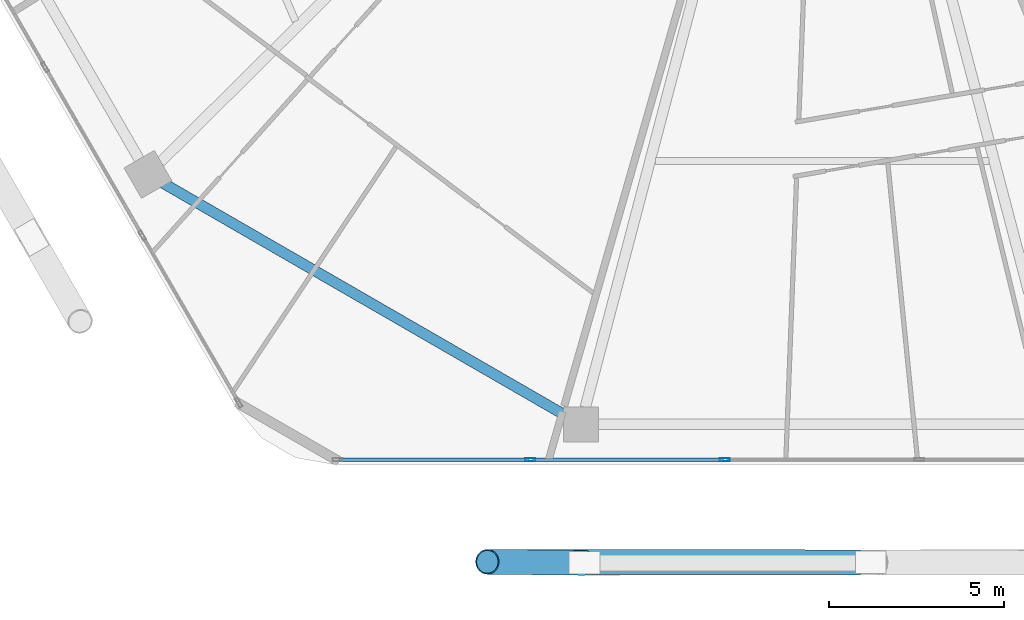
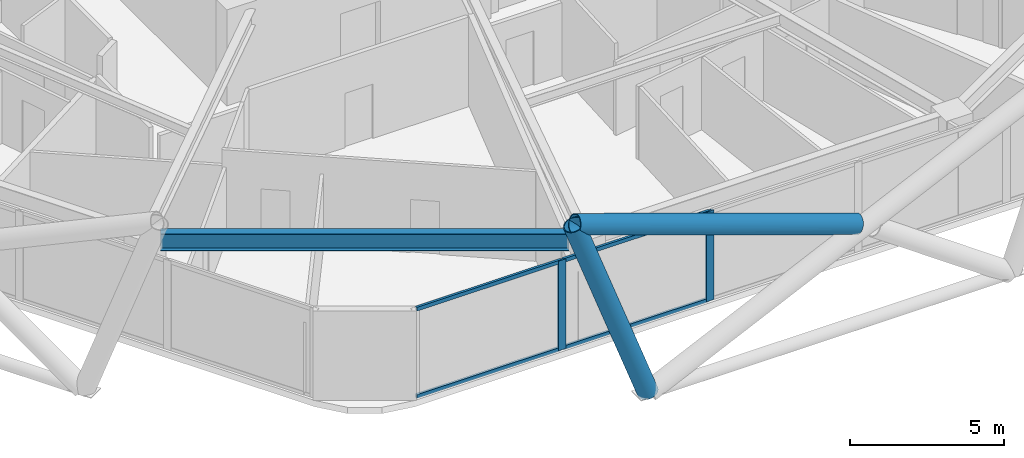
# One storey, part 3 of 28: 8 members, 1 beam, 1 element without a shape of its own.
"""IFC4 building model written with IfcOpenShell, lengths in metres."""

from ifc_helpers import new_model, si_unit, direction, frame, origin, origin_2d, place, context, subcontext, project, spatial, hollow_rectangle, hollow_circle, i_section, extrude, material, material_profile, profile_set, type_object, element, aggregate, save


model = new_model("IFC4")

# Units and contexts
model_context = context("Model", 3, precision=1e-05, world=origin(), true_north=direction((0.0, 1.0)))
body_context = subcontext(model_context, "Body", "Model", "MODEL_VIEW")
ifc_project = project(units=[si_unit("LENGTHUNIT", "METRE"), si_unit("AREAUNIT", "SQUARE_METRE"), si_unit("VOLUMEUNIT", "CUBIC_METRE"), si_unit("PLANEANGLEUNIT", "RADIAN"), si_unit("MASSUNIT", "GRAM", prefix="KILO")], contexts=[model_context])

# Site, building, storey
site_placement = place(None, origin())
site = spatial("IfcSite", under=ifc_project, at=site_placement, CompositionType="ELEMENT")
building_placement = place(site_placement, origin())
building = spatial("IfcBuilding", under=site, at=building_placement, Name="Zuhravey Tower", CompositionType="ELEMENT")
storey_placement = place(building_placement, frame((0.0, 0.0, 154.199951171875)))
storey = spatial("IfcBuildingStorey", under=building, at=storey_placement, Name="L38", CompositionType="ELEMENT", Elevation=154.199951171875)

# Curtain wall, members
ifc_material_1 = material(Name="Thermally broken anodised aluminium", Category="aluminium")
curtain_wall_type = type_object("IfcCurtainWallType", Name="Zone 1-2 Residential Curtain Wall CW3", PredefinedType="NOTDEFINED", material=ifc_material_1)
curtain_wall_placement = place(storey_placement, origin())
curtain_wall = element("IfcCurtainWall", 1, at=curtain_wall_placement, inside=storey, type_object=curtain_wall_type, Name="L38 CW3 CW-L38-F5-1", PredefinedType="NOTDEFINED")
ifc_material_2 = material(Name="Anodised aluminium", Category="aluminium")
ifc_material_profile_1 = material_profile(ifc_material_2, hollow_rectangle(XDim=0.090087890625, YDim=0.284912109375, WallThickness=0.0048828125, at=origin_2d()), Name="ALU-RHS-90x285x5")
ifc_profile_set_1 = profile_set([ifc_material_profile_1], Name="Anodised aluminium")
member_type_1 = type_object("IfcMemberType", Name="Curtain-Wall Mullion 90x180", PredefinedType="MULLION", material=ifc_profile_set_1)
member_1_placement = place(storey_placement, frame((33.227783203125, 4.81689453125, 0.0), z_axis=(0.0, 0.0, 1.0), x_axis=(0.0, -1.0, 0.0)))
member_1 = element("IfcMember", 2, at=member_1_placement, type_object=member_type_1, Name="CW3 mullion 4", PredefinedType="MULLION", context=body_context, shape_type="SweptSolid", body=[
    extrude(hollow_rectangle(XDim=0.090087890625, YDim=0.284912109375, WallThickness=0.0048828125, at=origin_2d()), origin(), (0.0, 0.0, 1.0), 3.550048828125),
])
member_2_placement = place(storey_placement, frame((27.683349609375, 4.81689453125, 0.0), z_axis=(0.0, 0.0, 1.0), x_axis=(0.0, -1.0, 0.0)))
member_2 = element("IfcMember", 3, at=member_2_placement, type_object=member_type_1, Name="CW3 mullion 5", PredefinedType="MULLION", context=body_context, shape_type="SweptSolid", body=[
    extrude(hollow_rectangle(XDim=0.090087890625, YDim=0.284912109375, WallThickness=0.0048828125, at=origin_2d()), origin(), (0.0, 0.0, 1.0), 3.550048828125),
])
ifc_material_profile_2 = material_profile(ifc_material_2, hollow_rectangle(XDim=0.090087890625, YDim=0.14990234375, WallThickness=0.0048828125, at=origin_2d()), Name="ALU-RHS-90x150x5")
ifc_profile_set_2 = profile_set([ifc_material_profile_2], Name="Anodised aluminium")
member_type_2 = type_object("IfcMemberType", Name="Curtain-Wall Transom 90x150", PredefinedType="USERDEFINED", material=ifc_profile_set_2)
member_3_placement = place(storey_placement, frame((33.182861328125, 4.81689453125, 0.045166015625), z_axis=(-1.0, 0.0, 0.0), x_axis=(0.0, -1.0, 0.0)))
member_3 = element("IfcMember", 4, at=member_3_placement, type_object=member_type_2, Name="CW3 transom 4.1", ObjectType="TRANSOM", PredefinedType="USERDEFINED", context=body_context, shape_type="SweptSolid", body=[
    extrude(hollow_rectangle(XDim=0.090087890625, YDim=0.14990234375, WallThickness=0.0048828125, at=origin_2d()), origin(), (0.0, 0.0, 1.0), 5.45458984375),
])
member_4_placement = place(storey_placement, frame((33.182861328125, 4.81689453125, 3.505126953125), z_axis=(-1.0, 0.0, 0.0), x_axis=(0.0, -1.0, 0.0)))
member_4 = element("IfcMember", 5, at=member_4_placement, type_object=member_type_2, Name="CW3 transom 4.2", ObjectType="TRANSOM", PredefinedType="USERDEFINED", context=body_context, shape_type="SweptSolid", body=[
    extrude(hollow_rectangle(XDim=0.090087890625, YDim=0.14990234375, WallThickness=0.0048828125, at=origin_2d()), origin(), (0.0, 0.0, 1.0), 5.45458984375),
])
member_5_placement = place(storey_placement, frame((27.638427734375, 4.81689453125, 0.045166015625), z_axis=(-1.0, 0.0, 0.0), x_axis=(0.0, -1.0, 0.0)))
member_5 = element("IfcMember", 6, at=member_5_placement, type_object=member_type_2, Name="CW3 transom 5.1", ObjectType="TRANSOM", PredefinedType="USERDEFINED", context=body_context, shape_type="SweptSolid", body=[
    extrude(hollow_rectangle(XDim=0.090087890625, YDim=0.14990234375, WallThickness=0.0048828125, at=origin_2d()), origin(), (0.0, 0.0, 1.0), 5.409423828125),
])
member_6_placement = place(storey_placement, frame((27.638427734375, 4.81689453125, 3.505126953125), z_axis=(-1.0, 0.0, 0.0), x_axis=(0.0, -1.0, 0.0)))
member_6 = element("IfcMember", 7, at=member_6_placement, type_object=member_type_2, Name="CW3 transom 5.2", ObjectType="TRANSOM", PredefinedType="USERDEFINED", context=body_context, shape_type="SweptSolid", body=[
    extrude(hollow_rectangle(XDim=0.090087890625, YDim=0.14990234375, WallThickness=0.0048828125, at=origin_2d()), origin(), (0.0, 0.0, 1.0), 5.409423828125),
])
aggregate(curtain_wall, [member_1, member_2, member_3, member_4, member_5, member_6])

# Members
ifc_material_3 = material(Name="Steel SM460", Category="steel")
ifc_material_profile_3 = material_profile(ifc_material_3, hollow_circle(Radius=0.355712890625, WallThickness=0.031982421875, at=origin_2d()), Name="CHS-711.2x32")
ifc_profile_set_3 = profile_set([ifc_material_profile_3], Name="Steel SM460")
member_type_3 = type_object("IfcMemberType", Name="Exoskeleton Zone 2 Diagrid CHS711x32", PredefinedType="BRACE", material=ifc_profile_set_3)
member_7_placement = place(storey_placement, frame((29.211669921875, 1.876953125, -0.44384765625), z_axis=(-0.342865815458, 0.003701082064, 0.939377099243), x_axis=(-0.010793920789, -0.99994174394, 0.0)))
element("IfcMember", 8, at=member_7_placement, inside=storey, type_object=member_type_3, Name="L38 Face 5 Diagrid Brace 1", PredefinedType="BRACE", context=body_context, shape_type="SweptSolid", body=[
    extrude(hollow_circle(Radius=0.355712890625, WallThickness=0.031982421875, at=origin_2d()), origin(), (0.0, 0.0, 1.0), 8.047607421875),
])
member_8_placement = place(storey_placement, frame((37.060546875, 1.892333984375, 3.449462890625), z_axis=(-0.944652786262, 0.001287230689, 0.328069286042), x_axis=(-0.00136264828, -0.999999071594, 0.0)))
element("IfcMember", 9, at=member_8_placement, inside=storey, type_object=member_type_3, Name="L38 Face 5 Split Diagrid Brace 3B", PredefinedType="BRACE", context=body_context, shape_type="SweptSolid", body=[
    extrude(hollow_circle(Radius=0.355712890625, WallThickness=0.031982421875, at=origin_2d()), origin(), (0.0, 0.0, 1.0), 11.190185546875),
])

# Beam
ifc_material_4 = material(Name="Steel SM355", Category="steel")
ifc_material_profile_4 = material_profile(ifc_material_4, i_section(OverallWidth=0.300048828125, OverallDepth=0.679931640625, WebThickness=0.012939453125, FlangeThickness=0.02197265625, at=origin_2d()), Name="H-680x300x13x22")
ifc_profile_set_4 = profile_set([ifc_material_profile_4], Name="Steel SM355")
beam_type = type_object("IfcBeamType", Name="Perimeter Ring Beam H680x300", PredefinedType="BEAM", material=ifc_profile_set_4)
beam_placement = place(storey_placement, frame((17.210205078125, 12.701904296875, 3.2099609375), z_axis=(0.866022923061, -0.500004296715, 0.0), x_axis=(0.500004296715, 0.866022923061, 0.0)))
element("IfcBeam", 10, at=beam_placement, inside=storey, type_object=beam_type, Name="L38 PB2 BM-L38-PB-08", PredefinedType="BEAM", context=body_context, shape_type="SweptSolid", body=[
    extrude(i_section(OverallWidth=0.300048828125, OverallDepth=0.679931640625, WebThickness=0.012939453125, FlangeThickness=0.02197265625, at=origin_2d()), origin(), (0.0, 0.0, 1.0), 13.2470703125),
])

save(model, "model.ifc")
